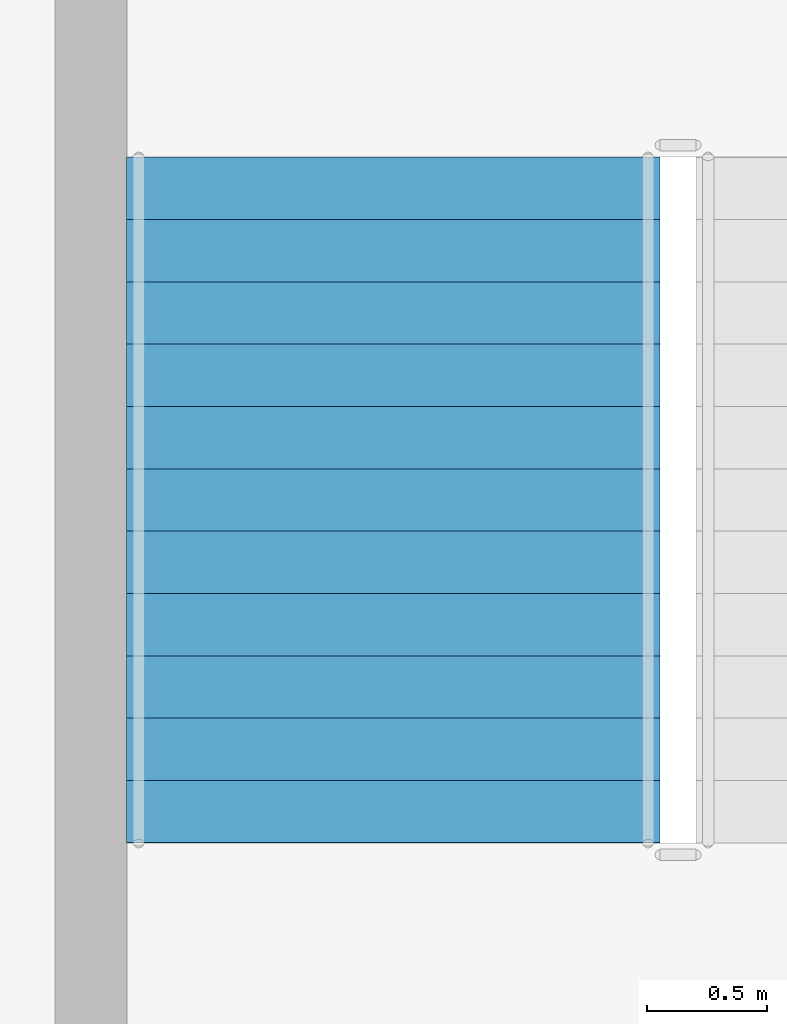
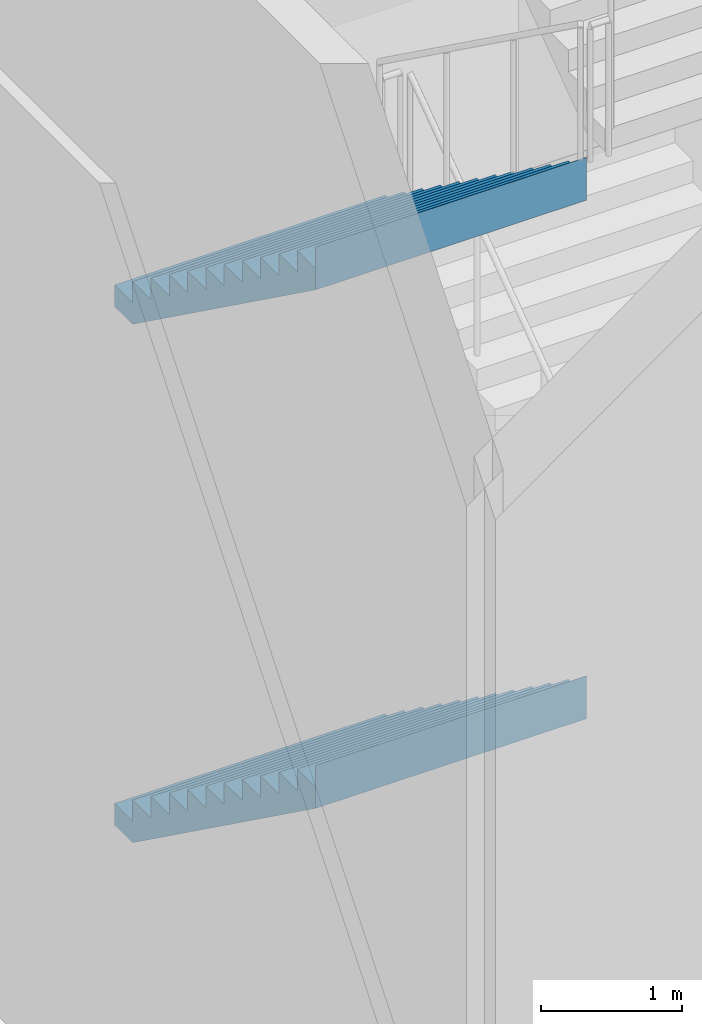
# One storey, part 17 of 35: 2 stair flights, 1 element without a shape of its own.
"""IFC4 building model written with IfcOpenShell, lengths in metres."""

from ifc_helpers import new_model, si_unit, direction, frame, origin, place, context, subcontext, project, spatial, triangles, material, type_object, element, aggregate, save


model = new_model("IFC4")

# Units and contexts
model_context = context("Model", 3, precision=1e-05, world=origin(), true_north=direction((0.0, 1.0)))
body_context = subcontext(model_context, "Body", "Model", "MODEL_VIEW")
ifc_project = project(units=[si_unit("LENGTHUNIT", "METRE"), si_unit("AREAUNIT", "SQUARE_METRE"), si_unit("VOLUMEUNIT", "CUBIC_METRE"), si_unit("PLANEANGLEUNIT", "RADIAN"), si_unit("MASSUNIT", "GRAM", prefix="KILO")], contexts=[model_context])

# Site, building, storey
site_placement = place(None, origin())
site = spatial("IfcSite", under=ifc_project, at=site_placement, CompositionType="ELEMENT")
building_placement = place(site_placement, origin())
building = spatial("IfcBuilding", under=site, at=building_placement, Name="Sahrelin Media Tower", CompositionType="ELEMENT")
storey_placement = place(building_placement, frame((0.0, 0.0, 17.0)))
storey = spatial("IfcBuildingStorey", under=building, at=storey_placement, Name="L02", CompositionType="ELEMENT", Elevation=17.0)

# Stair, stair flights
ifc_material = material(Name="Concrete C40/50", Category="concrete")
stair_type = type_object("IfcStairType", Name="Podium stair 2225", PredefinedType="HALF_TURN_STAIR", material=ifc_material)
stair_placement = place(storey_placement, origin())
stair = element("IfcStair", 1, at=stair_placement, inside=storey, type_object=stair_type, Name="L02 Podium stair PS4", PredefinedType="HALF_TURN_STAIR")
stair_flight_type = type_object("IfcStairFlightType", Name="Stair flight 2225", PredefinedType="STRAIGHT", material=ifc_material)
stair_flight_1_placement = place(storey_placement, frame((9.46240234375, -30.625, 0.0), z_axis=(0.0, 0.0, 1.0), x_axis=(0.0, -1.0, 0.0)))
stair_flight_1 = element("IfcStairFlight", 2, at=stair_flight_1_placement, type_object=stair_flight_type, Name="PS4 flight 1", NumberOfRisers=12, NumberOfTreads=11, PredefinedType="STRAIGHT", RiserHeight=0.1875, TreadLength=0.26, context=body_context, shape_type="Tessellation", body=[
    triangles([(0.25634765625, 1.112548828125, 0.0), (0.25634765625, 0.794677734375, 0.0), (0.25634765625, 0.476806640625, 0.0), (0.25634765625, 0.158935546875, 0.0), (0.25634765625, -0.158935546875, 0.0), (0.25634765625, -0.476806640625, 0.0), (0.25634765625, -0.794677734375, 0.0), (0.25634765625, -1.112548828125, 0.0), (2.860107421875, 1.112548828125, 1.877685546875), (2.860107421875, 0.794677734375, 1.877685546875), (2.860107421875, 0.476806640625, 1.877685546875), (2.860107421875, 0.158935546875, 1.877685546875), (2.860107421875, -0.158935546875, 1.877685546875), (2.860107421875, -0.476806640625, 1.877685546875), (2.860107421875, -0.794677734375, 1.877685546875), (2.860107421875, -1.112548828125, 1.877685546875), (2.860107421875, 1.112548828125, 2.25), (2.860107421875, 0.794677734375, 2.25), (2.860107421875, 0.476806640625, 2.25), (2.860107421875, 0.158935546875, 2.25), (2.860107421875, -0.158935546875, 2.25), (2.860107421875, -0.476806640625, 2.25), (2.860107421875, -0.794677734375, 2.25), (2.860107421875, -1.112548828125, 2.25), (2.85791015625, 1.112548828125, 2.25), (2.85791015625, 0.794677734375, 2.25), (2.85791015625, 0.476806640625, 2.25), (2.85791015625, 0.158935546875, 2.25), (2.85791015625, -0.158935546875, 2.25), (2.85791015625, -0.476806640625, 2.25), (2.85791015625, -0.794677734375, 2.25), (2.85791015625, -1.112548828125, 2.25), (2.85791015625, 1.112548828125, 2.0625), (2.85791015625, 0.794677734375, 2.0625), (2.85791015625, 0.476806640625, 2.0625), (2.85791015625, 0.158935546875, 2.0625), (2.85791015625, -0.158935546875, 2.0625), (2.85791015625, -0.476806640625, 2.0625), (2.85791015625, -0.794677734375, 2.0625), (2.85791015625, -1.112548828125, 2.0625), (2.60009765625, 1.112548828125, 2.0625), (2.60009765625, 0.794677734375, 2.0625), (2.60009765625, 0.476806640625, 2.0625), (2.60009765625, 0.158935546875, 2.0625), (2.60009765625, -0.158935546875, 2.0625), (2.60009765625, -0.476806640625, 2.0625), (2.60009765625, -0.794677734375, 2.0625), (2.60009765625, -1.112548828125, 2.0625), (2.60009765625, 1.112548828125, 1.875), (2.60009765625, 0.794677734375, 1.875), (2.60009765625, 0.476806640625, 1.875), (2.60009765625, 0.158935546875, 1.875), (2.60009765625, -0.158935546875, 1.875), (2.60009765625, -0.476806640625, 1.875), (2.60009765625, -0.794677734375, 1.875), (2.60009765625, -1.112548828125, 1.875), (2.340087890625, 1.112548828125, 1.875), (2.340087890625, 0.794677734375, 1.875), (2.340087890625, 0.476806640625, 1.875), (2.340087890625, 0.158935546875, 1.875), (2.340087890625, -0.158935546875, 1.875), (2.340087890625, -0.476806640625, 1.875), (2.340087890625, -0.794677734375, 1.875), (2.340087890625, -1.112548828125, 1.875), (2.340087890625, 1.112548828125, 1.6875), (2.340087890625, 0.794677734375, 1.6875), (2.340087890625, 0.476806640625, 1.6875), (2.340087890625, 0.158935546875, 1.6875), (2.340087890625, -0.158935546875, 1.6875), (2.340087890625, -0.476806640625, 1.6875), (2.340087890625, -0.794677734375, 1.6875), (2.340087890625, -1.112548828125, 1.6875), (2.080078125, 1.112548828125, 1.6875), (2.080078125, 0.794677734375, 1.6875), (2.080078125, 0.476806640625, 1.6875), (2.080078125, 0.158935546875, 1.6875), (2.080078125, -0.158935546875, 1.6875), (2.080078125, -0.476806640625, 1.6875), (2.080078125, -0.794677734375, 1.6875), (2.080078125, -1.112548828125, 1.6875), (2.080078125, 1.112548828125, 1.5), (2.080078125, 0.794677734375, 1.5), (2.080078125, 0.476806640625, 1.5), (2.080078125, 0.158935546875, 1.5), (2.080078125, -0.158935546875, 1.5), (2.080078125, -0.476806640625, 1.5), (2.080078125, -0.794677734375, 1.5), (2.080078125, -1.112548828125, 1.5), (1.820068359375, 1.112548828125, 1.5), (1.820068359375, 0.794677734375, 1.5), (1.820068359375, 0.476806640625, 1.5), (1.820068359375, 0.158935546875, 1.5), (1.820068359375, -0.158935546875, 1.5), (1.820068359375, -0.476806640625, 1.5), (1.820068359375, -0.794677734375, 1.5), (1.820068359375, -1.112548828125, 1.5), (1.820068359375, 1.112548828125, 1.3125), (1.820068359375, 0.794677734375, 1.3125), (1.820068359375, 0.476806640625, 1.3125), (1.820068359375, 0.158935546875, 1.3125), (1.820068359375, -0.158935546875, 1.3125), (1.820068359375, -0.476806640625, 1.3125), (1.820068359375, -0.794677734375, 1.3125), (1.820068359375, -1.112548828125, 1.3125), (1.56005859375, 1.112548828125, 1.3125), (1.56005859375, 0.794677734375, 1.3125), (1.56005859375, 0.476806640625, 1.3125), (1.56005859375, 0.158935546875, 1.3125), (1.56005859375, -0.158935546875, 1.3125), (1.56005859375, -0.476806640625, 1.3125), (1.56005859375, -0.794677734375, 1.3125), (1.56005859375, -1.112548828125, 1.3125), (1.56005859375, 1.112548828125, 1.125), (1.56005859375, 0.794677734375, 1.125), (1.56005859375, 0.476806640625, 1.125), (1.56005859375, 0.158935546875, 1.125), (1.56005859375, -0.158935546875, 1.125), (1.56005859375, -0.476806640625, 1.125), (1.56005859375, -0.794677734375, 1.125), (1.56005859375, -1.112548828125, 1.125), (1.300048828125, 1.112548828125, 1.125), (1.300048828125, 0.794677734375, 1.125), (1.300048828125, 0.476806640625, 1.125), (1.300048828125, 0.158935546875, 1.125), (1.300048828125, -0.158935546875, 1.125), (1.300048828125, -0.476806640625, 1.125), (1.300048828125, -0.794677734375, 1.125), (1.300048828125, -1.112548828125, 1.125), (1.300048828125, 1.112548828125, 0.9375), (1.300048828125, 0.794677734375, 0.9375), (1.300048828125, 0.476806640625, 0.9375), (1.300048828125, 0.158935546875, 0.9375), (1.300048828125, -0.158935546875, 0.9375), (1.300048828125, -0.476806640625, 0.9375), (1.300048828125, -0.794677734375, 0.9375), (1.300048828125, -1.112548828125, 0.9375), (1.0400390625, 1.112548828125, 0.9375), (1.0400390625, 0.794677734375, 0.9375), (1.0400390625, 0.476806640625, 0.9375), (1.0400390625, 0.158935546875, 0.9375), (1.0400390625, -0.158935546875, 0.9375), (1.0400390625, -0.476806640625, 0.9375), (1.0400390625, -0.794677734375, 0.9375), (1.0400390625, -1.112548828125, 0.9375), (1.0400390625, 1.112548828125, 0.75), (1.0400390625, 0.794677734375, 0.75), (1.0400390625, 0.476806640625, 0.75), (1.0400390625, 0.158935546875, 0.75), (1.0400390625, -0.158935546875, 0.75), (1.0400390625, -0.476806640625, 0.75), (1.0400390625, -0.794677734375, 0.75), (1.0400390625, -1.112548828125, 0.75), (0.780029296875, 1.112548828125, 0.75), (0.780029296875, 0.794677734375, 0.75), (0.780029296875, 0.476806640625, 0.75), (0.780029296875, 0.158935546875, 0.75), (0.780029296875, -0.158935546875, 0.75), (0.780029296875, -0.476806640625, 0.75), (0.780029296875, -0.794677734375, 0.75), (0.780029296875, -1.112548828125, 0.75), (0.780029296875, 1.112548828125, 0.5625), (0.780029296875, 0.794677734375, 0.5625), (0.780029296875, 0.476806640625, 0.5625), (0.780029296875, 0.158935546875, 0.5625), (0.780029296875, -0.158935546875, 0.5625), (0.780029296875, -0.476806640625, 0.5625), (0.780029296875, -0.794677734375, 0.5625), (0.780029296875, -1.112548828125, 0.5625), (0.52001953125, 1.112548828125, 0.5625), (0.52001953125, 0.794677734375, 0.5625), (0.52001953125, 0.476806640625, 0.5625), (0.52001953125, 0.158935546875, 0.5625), (0.52001953125, -0.158935546875, 0.5625), (0.52001953125, -0.476806640625, 0.5625), (0.52001953125, -0.794677734375, 0.5625), (0.52001953125, -1.112548828125, 0.5625), (0.52001953125, 1.112548828125, 0.375), (0.52001953125, 0.794677734375, 0.375), (0.52001953125, 0.476806640625, 0.375), (0.52001953125, 0.158935546875, 0.375), (0.52001953125, -0.158935546875, 0.375), (0.52001953125, -0.476806640625, 0.375), (0.52001953125, -0.794677734375, 0.375), (0.52001953125, -1.112548828125, 0.375), (0.260009765625, 1.112548828125, 0.375), (0.260009765625, 0.794677734375, 0.375), (0.260009765625, 0.476806640625, 0.375), (0.260009765625, 0.158935546875, 0.375), (0.260009765625, -0.158935546875, 0.375), (0.260009765625, -0.476806640625, 0.375), (0.260009765625, -0.794677734375, 0.375), (0.260009765625, -1.112548828125, 0.375), (0.260009765625, 1.112548828125, 0.1875), (0.260009765625, 0.794677734375, 0.1875), (0.260009765625, 0.476806640625, 0.1875), (0.260009765625, 0.158935546875, 0.1875), (0.260009765625, -0.158935546875, 0.1875), (0.260009765625, -0.476806640625, 0.1875), (0.260009765625, -0.794677734375, 0.1875), (0.260009765625, -1.112548828125, 0.1875), (0.0, 1.112548828125, 0.1875), (0.0, 0.794677734375, 0.1875), (0.0, 0.476806640625, 0.1875), (0.0, 0.158935546875, 0.1875), (0.0, -0.158935546875, 0.1875), (0.0, -0.476806640625, 0.1875), (0.0, -0.794677734375, 0.1875), (0.0, -1.112548828125, 0.1875), (0.0, 1.112548828125, 0.0), (0.0, 0.794677734375, 0.0), (0.0, 0.476806640625, 0.0), (0.0, 0.158935546875, 0.0), (0.0, -0.158935546875, 0.0), (0.0, -0.476806640625, 0.0), (0.0, -0.794677734375, 0.0), (0.0, -1.112548828125, 0.0)], [[1, 9, 10], [1, 10, 2], [2, 10, 11], [2, 11, 3], [3, 11, 12], [3, 12, 4], [4, 12, 13], [4, 13, 5], [5, 13, 14], [5, 14, 6], [6, 14, 15], [6, 15, 7], [7, 15, 16], [7, 16, 8], [9, 17, 18], [9, 18, 10], [10, 18, 19], [10, 19, 11], [11, 19, 20], [11, 20, 12], [12, 20, 21], [12, 21, 13], [13, 21, 22], [13, 22, 14], [14, 22, 23], [14, 23, 15], [15, 23, 24], [15, 24, 16], [17, 25, 26], [17, 26, 18], [18, 26, 27], [18, 27, 19], [19, 27, 28], [19, 28, 20], [20, 28, 29], [20, 29, 21], [21, 29, 30], [21, 30, 22], [22, 30, 31], [22, 31, 23], [23, 31, 32], [23, 32, 24], [25, 33, 34], [25, 34, 26], [26, 34, 35], [26, 35, 27], [27, 35, 36], [27, 36, 28], [28, 36, 37], [28, 37, 29], [29, 37, 38], [29, 38, 30], [30, 38, 39], [30, 39, 31], [31, 39, 40], [31, 40, 32], [33, 41, 42], [33, 42, 34], [34, 42, 43], [34, 43, 35], [35, 43, 44], [35, 44, 36], [36, 44, 45], [36, 45, 37], [37, 45, 46], [37, 46, 38], [38, 46, 47], [38, 47, 39], [39, 47, 48], [39, 48, 40], [41, 49, 50], [41, 50, 42], [42, 50, 51], [42, 51, 43], [43, 51, 52], [43, 52, 44], [44, 52, 53], [44, 53, 45], [45, 53, 54], [45, 54, 46], [46, 54, 55], [46, 55, 47], [47, 55, 56], [47, 56, 48], [49, 57, 58], [49, 58, 50], [50, 58, 59], [50, 59, 51], [51, 59, 60], [51, 60, 52], [52, 60, 61], [52, 61, 53], [53, 61, 62], [53, 62, 54], [54, 62, 63], [54, 63, 55], [55, 63, 64], [55, 64, 56], [57, 65, 66], [57, 66, 58], [58, 66, 67], [58, 67, 59], [59, 67, 68], [59, 68, 60], [60, 68, 69], [60, 69, 61], [61, 69, 70], [61, 70, 62], [62, 70, 71], [62, 71, 63], [63, 71, 72], [63, 72, 64], [65, 73, 74], [65, 74, 66], [66, 74, 75], [66, 75, 67], [67, 75, 76], [67, 76, 68], [68, 76, 77], [68, 77, 69], [69, 77, 78], [69, 78, 70], [70, 78, 79], [70, 79, 71], [71, 79, 80], [71, 80, 72], [73, 81, 82], [73, 82, 74], [74, 82, 83], [74, 83, 75], [75, 83, 84], [75, 84, 76], [76, 84, 85], [76, 85, 77], [77, 85, 86], [77, 86, 78], [78, 86, 87], [78, 87, 79], [79, 87, 88], [79, 88, 80], [81, 89, 90], [81, 90, 82], [82, 90, 91], [82, 91, 83], [83, 91, 92], [83, 92, 84], [84, 92, 93], [84, 93, 85], [85, 93, 94], [85, 94, 86], [86, 94, 95], [86, 95, 87], [87, 95, 96], [87, 96, 88], [89, 97, 98], [89, 98, 90], [90, 98, 99], [90, 99, 91], [91, 99, 100], [91, 100, 92], [92, 100, 101], [92, 101, 93], [93, 101, 102], [93, 102, 94], [94, 102, 103], [94, 103, 95], [95, 103, 104], [95, 104, 96], [97, 105, 106], [97, 106, 98], [98, 106, 107], [98, 107, 99], [99, 107, 108], [99, 108, 100], [100, 108, 109], [100, 109, 101], [101, 109, 110], [101, 110, 102], [102, 110, 111], [102, 111, 103], [103, 111, 112], [103, 112, 104], [105, 113, 114], [105, 114, 106], [106, 114, 115], [106, 115, 107], [107, 115, 116], [107, 116, 108], [108, 116, 117], [108, 117, 109], [109, 117, 118], [109, 118, 110], [110, 118, 119], [110, 119, 111], [111, 119, 120], [111, 120, 112], [113, 121, 122], [113, 122, 114], [114, 122, 123], [114, 123, 115], [115, 123, 124], [115, 124, 116], [116, 124, 125], [116, 125, 117], [117, 125, 126], [117, 126, 118], [118, 126, 127], [118, 127, 119], [119, 127, 128], [119, 128, 120], [121, 129, 130], [121, 130, 122], [122, 130, 131], [122, 131, 123], [123, 131, 132], [123, 132, 124], [124, 132, 133], [124, 133, 125], [125, 133, 134], [125, 134, 126], [126, 134, 135], [126, 135, 127], [127, 135, 136], [127, 136, 128], [129, 137, 138], [129, 138, 130], [130, 138, 139], [130, 139, 131], [131, 139, 140], [131, 140, 132], [132, 140, 141], [132, 141, 133], [133, 141, 142], [133, 142, 134], [134, 142, 143], [134, 143, 135], [135, 143, 144], [135, 144, 136], [137, 145, 146], [137, 146, 138], [138, 146, 147], [138, 147, 139], [139, 147, 148], [139, 148, 140], [140, 148, 149], [140, 149, 141], [141, 149, 150], [141, 150, 142], [142, 150, 151], [142, 151, 143], [143, 151, 152], [143, 152, 144], [145, 153, 154], [145, 154, 146], [146, 154, 155], [146, 155, 147], [147, 155, 156], [147, 156, 148], [148, 156, 157], [148, 157, 149], [149, 157, 158], [149, 158, 150], [150, 158, 159], [150, 159, 151], [151, 159, 160], [151, 160, 152], [153, 161, 162], [153, 162, 154], [154, 162, 163], [154, 163, 155], [155, 163, 164], [155, 164, 156], [156, 164, 165], [156, 165, 157], [157, 165, 166], [157, 166, 158], [158, 166, 167], [158, 167, 159], [159, 167, 168], [159, 168, 160], [161, 169, 170], [161, 170, 162], [162, 170, 171], [162, 171, 163], [163, 171, 172], [163, 172, 164], [164, 172, 173], [164, 173, 165], [165, 173, 174], [165, 174, 166], [166, 174, 175], [166, 175, 167], [167, 175, 176], [167, 176, 168], [169, 177, 178], [169, 178, 170], [170, 178, 179], [170, 179, 171], [171, 179, 180], [171, 180, 172], [172, 180, 181], [172, 181, 173], [173, 181, 182], [173, 182, 174], [174, 182, 183], [174, 183, 175], [175, 183, 184], [175, 184, 176], [177, 185, 186], [177, 186, 178], [178, 186, 187], [178, 187, 179], [179, 187, 188], [179, 188, 180], [180, 188, 189], [180, 189, 181], [181, 189, 190], [181, 190, 182], [182, 190, 191], [182, 191, 183], [183, 191, 192], [183, 192, 184], [185, 193, 194], [185, 194, 186], [186, 194, 195], [186, 195, 187], [187, 195, 196], [187, 196, 188], [188, 196, 197], [188, 197, 189], [189, 197, 198], [189, 198, 190], [190, 198, 199], [190, 199, 191], [191, 199, 200], [191, 200, 192], [193, 201, 202], [193, 202, 194], [194, 202, 203], [194, 203, 195], [195, 203, 204], [195, 204, 196], [196, 204, 205], [196, 205, 197], [197, 205, 206], [197, 206, 198], [198, 206, 207], [198, 207, 199], [199, 207, 208], [199, 208, 200], [201, 209, 210], [201, 210, 202], [202, 210, 211], [202, 211, 203], [203, 211, 212], [203, 212, 204], [204, 212, 213], [204, 213, 205], [205, 213, 214], [205, 214, 206], [206, 214, 215], [206, 215, 207], [207, 215, 216], [207, 216, 208], [209, 1, 2], [209, 2, 210], [210, 2, 3], [210, 3, 211], [211, 3, 4], [211, 4, 212], [212, 4, 5], [212, 5, 213], [213, 5, 6], [213, 6, 214], [214, 6, 7], [214, 7, 215], [215, 7, 8], [215, 8, 216], [8, 208, 216], [1, 209, 201], [200, 184, 192], [193, 185, 177], [184, 168, 176], [177, 169, 161], [168, 152, 160], [161, 153, 145], [152, 136, 144], [145, 137, 129], [136, 120, 128], [129, 121, 113], [120, 104, 112], [113, 105, 97], [104, 88, 96], [97, 89, 81], [88, 72, 80], [81, 73, 65], [72, 56, 64], [65, 57, 49], [56, 40, 48], [49, 41, 33], [40, 24, 32], [33, 25, 17], [8, 200, 208], [1, 201, 193], [16, 56, 72], [9, 65, 49], [40, 16, 24], [33, 17, 9], [184, 200, 8], [177, 1, 193], [56, 16, 40], [49, 33, 9], [168, 184, 8], [161, 1, 177], [72, 88, 16], [65, 9, 81], [152, 168, 8], [145, 1, 161], [104, 16, 88], [97, 81, 9], [136, 152, 8], [129, 1, 145], [120, 16, 104], [113, 97, 9], [120, 136, 8], [113, 1, 129], [8, 16, 120], [1, 113, 9]], closed=True),
])
stair_flight_2_placement = place(storey_placement, frame((9.46240234375, -30.625, 4.5), z_axis=(0.0, 0.0, 1.0), x_axis=(0.0, -1.0, 0.0)))
stair_flight_2 = element("IfcStairFlight", 3, at=stair_flight_2_placement, type_object=stair_flight_type, Name="PS4 flight 3", NumberOfRisers=12, NumberOfTreads=11, PredefinedType="STRAIGHT", RiserHeight=0.1875, TreadLength=0.26, context=body_context, shape_type="Tessellation", body=[
    triangles([(0.25634765625, 1.112548828125, 0.0), (0.25634765625, 0.794677734375, 0.0), (0.25634765625, 0.476806640625, 0.0), (0.25634765625, 0.158935546875, 0.0), (0.25634765625, -0.158935546875, 0.0), (0.25634765625, -0.476806640625, 0.0), (0.25634765625, -0.794677734375, 0.0), (0.25634765625, -1.112548828125, 0.0), (2.860107421875, 1.112548828125, 1.877685546875), (2.860107421875, 0.794677734375, 1.877685546875), (2.860107421875, 0.476806640625, 1.877685546875), (2.860107421875, 0.158935546875, 1.877685546875), (2.860107421875, -0.158935546875, 1.877685546875), (2.860107421875, -0.476806640625, 1.877685546875), (2.860107421875, -0.794677734375, 1.877685546875), (2.860107421875, -1.112548828125, 1.877685546875), (2.860107421875, 1.112548828125, 2.25), (2.860107421875, 0.794677734375, 2.25), (2.860107421875, 0.476806640625, 2.25), (2.860107421875, 0.158935546875, 2.25), (2.860107421875, -0.158935546875, 2.25), (2.860107421875, -0.476806640625, 2.25), (2.860107421875, -0.794677734375, 2.25), (2.860107421875, -1.112548828125, 2.25), (2.85791015625, 1.112548828125, 2.25), (2.85791015625, 0.794677734375, 2.25), (2.85791015625, 0.476806640625, 2.25), (2.85791015625, 0.158935546875, 2.25), (2.85791015625, -0.158935546875, 2.25), (2.85791015625, -0.476806640625, 2.25), (2.85791015625, -0.794677734375, 2.25), (2.85791015625, -1.112548828125, 2.25), (2.85791015625, 1.112548828125, 2.0625), (2.85791015625, 0.794677734375, 2.0625), (2.85791015625, 0.476806640625, 2.0625), (2.85791015625, 0.158935546875, 2.0625), (2.85791015625, -0.158935546875, 2.0625), (2.85791015625, -0.476806640625, 2.0625), (2.85791015625, -0.794677734375, 2.0625), (2.85791015625, -1.112548828125, 2.0625), (2.60009765625, 1.112548828125, 2.0625), (2.60009765625, 0.794677734375, 2.0625), (2.60009765625, 0.476806640625, 2.0625), (2.60009765625, 0.158935546875, 2.0625), (2.60009765625, -0.158935546875, 2.0625), (2.60009765625, -0.476806640625, 2.0625), (2.60009765625, -0.794677734375, 2.0625), (2.60009765625, -1.112548828125, 2.0625), (2.60009765625, 1.112548828125, 1.875), (2.60009765625, 0.794677734375, 1.875), (2.60009765625, 0.476806640625, 1.875), (2.60009765625, 0.158935546875, 1.875), (2.60009765625, -0.158935546875, 1.875), (2.60009765625, -0.476806640625, 1.875), (2.60009765625, -0.794677734375, 1.875), (2.60009765625, -1.112548828125, 1.875), (2.340087890625, 1.112548828125, 1.875), (2.340087890625, 0.794677734375, 1.875), (2.340087890625, 0.476806640625, 1.875), (2.340087890625, 0.158935546875, 1.875), (2.340087890625, -0.158935546875, 1.875), (2.340087890625, -0.476806640625, 1.875), (2.340087890625, -0.794677734375, 1.875), (2.340087890625, -1.112548828125, 1.875), (2.340087890625, 1.112548828125, 1.6875), (2.340087890625, 0.794677734375, 1.6875), (2.340087890625, 0.476806640625, 1.6875), (2.340087890625, 0.158935546875, 1.6875), (2.340087890625, -0.158935546875, 1.6875), (2.340087890625, -0.476806640625, 1.6875), (2.340087890625, -0.794677734375, 1.6875), (2.340087890625, -1.112548828125, 1.6875), (2.080078125, 1.112548828125, 1.6875), (2.080078125, 0.794677734375, 1.6875), (2.080078125, 0.476806640625, 1.6875), (2.080078125, 0.158935546875, 1.6875), (2.080078125, -0.158935546875, 1.6875), (2.080078125, -0.476806640625, 1.6875), (2.080078125, -0.794677734375, 1.6875), (2.080078125, -1.112548828125, 1.6875), (2.080078125, 1.112548828125, 1.5), (2.080078125, 0.794677734375, 1.5), (2.080078125, 0.476806640625, 1.5), (2.080078125, 0.158935546875, 1.5), (2.080078125, -0.158935546875, 1.5), (2.080078125, -0.476806640625, 1.5), (2.080078125, -0.794677734375, 1.5), (2.080078125, -1.112548828125, 1.5), (1.820068359375, 1.112548828125, 1.5), (1.820068359375, 0.794677734375, 1.5), (1.820068359375, 0.476806640625, 1.5), (1.820068359375, 0.158935546875, 1.5), (1.820068359375, -0.158935546875, 1.5), (1.820068359375, -0.476806640625, 1.5), (1.820068359375, -0.794677734375, 1.5), (1.820068359375, -1.112548828125, 1.5), (1.820068359375, 1.112548828125, 1.3125), (1.820068359375, 0.794677734375, 1.3125), (1.820068359375, 0.476806640625, 1.3125), (1.820068359375, 0.158935546875, 1.3125), (1.820068359375, -0.158935546875, 1.3125), (1.820068359375, -0.476806640625, 1.3125), (1.820068359375, -0.794677734375, 1.3125), (1.820068359375, -1.112548828125, 1.3125), (1.56005859375, 1.112548828125, 1.3125), (1.56005859375, 0.794677734375, 1.3125), (1.56005859375, 0.476806640625, 1.3125), (1.56005859375, 0.158935546875, 1.3125), (1.56005859375, -0.158935546875, 1.3125), (1.56005859375, -0.476806640625, 1.3125), (1.56005859375, -0.794677734375, 1.3125), (1.56005859375, -1.112548828125, 1.3125), (1.56005859375, 1.112548828125, 1.125), (1.56005859375, 0.794677734375, 1.125), (1.56005859375, 0.476806640625, 1.125), (1.56005859375, 0.158935546875, 1.125), (1.56005859375, -0.158935546875, 1.125), (1.56005859375, -0.476806640625, 1.125), (1.56005859375, -0.794677734375, 1.125), (1.56005859375, -1.112548828125, 1.125), (1.300048828125, 1.112548828125, 1.125), (1.300048828125, 0.794677734375, 1.125), (1.300048828125, 0.476806640625, 1.125), (1.300048828125, 0.158935546875, 1.125), (1.300048828125, -0.158935546875, 1.125), (1.300048828125, -0.476806640625, 1.125), (1.300048828125, -0.794677734375, 1.125), (1.300048828125, -1.112548828125, 1.125), (1.300048828125, 1.112548828125, 0.9375), (1.300048828125, 0.794677734375, 0.9375), (1.300048828125, 0.476806640625, 0.9375), (1.300048828125, 0.158935546875, 0.9375), (1.300048828125, -0.158935546875, 0.9375), (1.300048828125, -0.476806640625, 0.9375), (1.300048828125, -0.794677734375, 0.9375), (1.300048828125, -1.112548828125, 0.9375), (1.0400390625, 1.112548828125, 0.9375), (1.0400390625, 0.794677734375, 0.9375), (1.0400390625, 0.476806640625, 0.9375), (1.0400390625, 0.158935546875, 0.9375), (1.0400390625, -0.158935546875, 0.9375), (1.0400390625, -0.476806640625, 0.9375), (1.0400390625, -0.794677734375, 0.9375), (1.0400390625, -1.112548828125, 0.9375), (1.0400390625, 1.112548828125, 0.75), (1.0400390625, 0.794677734375, 0.75), (1.0400390625, 0.476806640625, 0.75), (1.0400390625, 0.158935546875, 0.75), (1.0400390625, -0.158935546875, 0.75), (1.0400390625, -0.476806640625, 0.75), (1.0400390625, -0.794677734375, 0.75), (1.0400390625, -1.112548828125, 0.75), (0.780029296875, 1.112548828125, 0.75), (0.780029296875, 0.794677734375, 0.75), (0.780029296875, 0.476806640625, 0.75), (0.780029296875, 0.158935546875, 0.75), (0.780029296875, -0.158935546875, 0.75), (0.780029296875, -0.476806640625, 0.75), (0.780029296875, -0.794677734375, 0.75), (0.780029296875, -1.112548828125, 0.75), (0.780029296875, 1.112548828125, 0.5625), (0.780029296875, 0.794677734375, 0.5625), (0.780029296875, 0.476806640625, 0.5625), (0.780029296875, 0.158935546875, 0.5625), (0.780029296875, -0.158935546875, 0.5625), (0.780029296875, -0.476806640625, 0.5625), (0.780029296875, -0.794677734375, 0.5625), (0.780029296875, -1.112548828125, 0.5625), (0.52001953125, 1.112548828125, 0.5625), (0.52001953125, 0.794677734375, 0.5625), (0.52001953125, 0.476806640625, 0.5625), (0.52001953125, 0.158935546875, 0.5625), (0.52001953125, -0.158935546875, 0.5625), (0.52001953125, -0.476806640625, 0.5625), (0.52001953125, -0.794677734375, 0.5625), (0.52001953125, -1.112548828125, 0.5625), (0.52001953125, 1.112548828125, 0.375), (0.52001953125, 0.794677734375, 0.375), (0.52001953125, 0.476806640625, 0.375), (0.52001953125, 0.158935546875, 0.375), (0.52001953125, -0.158935546875, 0.375), (0.52001953125, -0.476806640625, 0.375), (0.52001953125, -0.794677734375, 0.375), (0.52001953125, -1.112548828125, 0.375), (0.260009765625, 1.112548828125, 0.375), (0.260009765625, 0.794677734375, 0.375), (0.260009765625, 0.476806640625, 0.375), (0.260009765625, 0.158935546875, 0.375), (0.260009765625, -0.158935546875, 0.375), (0.260009765625, -0.476806640625, 0.375), (0.260009765625, -0.794677734375, 0.375), (0.260009765625, -1.112548828125, 0.375), (0.260009765625, 1.112548828125, 0.1875), (0.260009765625, 0.794677734375, 0.1875), (0.260009765625, 0.476806640625, 0.1875), (0.260009765625, 0.158935546875, 0.1875), (0.260009765625, -0.158935546875, 0.1875), (0.260009765625, -0.476806640625, 0.1875), (0.260009765625, -0.794677734375, 0.1875), (0.260009765625, -1.112548828125, 0.1875), (0.0, 1.112548828125, 0.1875), (0.0, 0.794677734375, 0.1875), (0.0, 0.476806640625, 0.1875), (0.0, 0.158935546875, 0.1875), (0.0, -0.158935546875, 0.1875), (0.0, -0.476806640625, 0.1875), (0.0, -0.794677734375, 0.1875), (0.0, -1.112548828125, 0.1875), (0.0, 1.112548828125, 0.0), (0.0, 0.794677734375, 0.0), (0.0, 0.476806640625, 0.0), (0.0, 0.158935546875, 0.0), (0.0, -0.158935546875, 0.0), (0.0, -0.476806640625, 0.0), (0.0, -0.794677734375, 0.0), (0.0, -1.112548828125, 0.0)], [[1, 9, 10], [1, 10, 2], [2, 10, 11], [2, 11, 3], [3, 11, 12], [3, 12, 4], [4, 12, 13], [4, 13, 5], [5, 13, 14], [5, 14, 6], [6, 14, 15], [6, 15, 7], [7, 15, 16], [7, 16, 8], [9, 17, 18], [9, 18, 10], [10, 18, 19], [10, 19, 11], [11, 19, 20], [11, 20, 12], [12, 20, 21], [12, 21, 13], [13, 21, 22], [13, 22, 14], [14, 22, 23], [14, 23, 15], [15, 23, 24], [15, 24, 16], [17, 25, 26], [17, 26, 18], [18, 26, 27], [18, 27, 19], [19, 27, 28], [19, 28, 20], [20, 28, 29], [20, 29, 21], [21, 29, 30], [21, 30, 22], [22, 30, 31], [22, 31, 23], [23, 31, 32], [23, 32, 24], [25, 33, 34], [25, 34, 26], [26, 34, 35], [26, 35, 27], [27, 35, 36], [27, 36, 28], [28, 36, 37], [28, 37, 29], [29, 37, 38], [29, 38, 30], [30, 38, 39], [30, 39, 31], [31, 39, 40], [31, 40, 32], [33, 41, 42], [33, 42, 34], [34, 42, 43], [34, 43, 35], [35, 43, 44], [35, 44, 36], [36, 44, 45], [36, 45, 37], [37, 45, 46], [37, 46, 38], [38, 46, 47], [38, 47, 39], [39, 47, 48], [39, 48, 40], [41, 49, 50], [41, 50, 42], [42, 50, 51], [42, 51, 43], [43, 51, 52], [43, 52, 44], [44, 52, 53], [44, 53, 45], [45, 53, 54], [45, 54, 46], [46, 54, 55], [46, 55, 47], [47, 55, 56], [47, 56, 48], [49, 57, 58], [49, 58, 50], [50, 58, 59], [50, 59, 51], [51, 59, 60], [51, 60, 52], [52, 60, 61], [52, 61, 53], [53, 61, 62], [53, 62, 54], [54, 62, 63], [54, 63, 55], [55, 63, 64], [55, 64, 56], [57, 65, 66], [57, 66, 58], [58, 66, 67], [58, 67, 59], [59, 67, 68], [59, 68, 60], [60, 68, 69], [60, 69, 61], [61, 69, 70], [61, 70, 62], [62, 70, 71], [62, 71, 63], [63, 71, 72], [63, 72, 64], [65, 73, 74], [65, 74, 66], [66, 74, 75], [66, 75, 67], [67, 75, 76], [67, 76, 68], [68, 76, 77], [68, 77, 69], [69, 77, 78], [69, 78, 70], [70, 78, 79], [70, 79, 71], [71, 79, 80], [71, 80, 72], [73, 81, 82], [73, 82, 74], [74, 82, 83], [74, 83, 75], [75, 83, 84], [75, 84, 76], [76, 84, 85], [76, 85, 77], [77, 85, 86], [77, 86, 78], [78, 86, 87], [78, 87, 79], [79, 87, 88], [79, 88, 80], [81, 89, 90], [81, 90, 82], [82, 90, 91], [82, 91, 83], [83, 91, 92], [83, 92, 84], [84, 92, 93], [84, 93, 85], [85, 93, 94], [85, 94, 86], [86, 94, 95], [86, 95, 87], [87, 95, 96], [87, 96, 88], [89, 97, 98], [89, 98, 90], [90, 98, 99], [90, 99, 91], [91, 99, 100], [91, 100, 92], [92, 100, 101], [92, 101, 93], [93, 101, 102], [93, 102, 94], [94, 102, 103], [94, 103, 95], [95, 103, 104], [95, 104, 96], [97, 105, 106], [97, 106, 98], [98, 106, 107], [98, 107, 99], [99, 107, 108], [99, 108, 100], [100, 108, 109], [100, 109, 101], [101, 109, 110], [101, 110, 102], [102, 110, 111], [102, 111, 103], [103, 111, 112], [103, 112, 104], [105, 113, 114], [105, 114, 106], [106, 114, 115], [106, 115, 107], [107, 115, 116], [107, 116, 108], [108, 116, 117], [108, 117, 109], [109, 117, 118], [109, 118, 110], [110, 118, 119], [110, 119, 111], [111, 119, 120], [111, 120, 112], [113, 121, 122], [113, 122, 114], [114, 122, 123], [114, 123, 115], [115, 123, 124], [115, 124, 116], [116, 124, 125], [116, 125, 117], [117, 125, 126], [117, 126, 118], [118, 126, 127], [118, 127, 119], [119, 127, 128], [119, 128, 120], [121, 129, 130], [121, 130, 122], [122, 130, 131], [122, 131, 123], [123, 131, 132], [123, 132, 124], [124, 132, 133], [124, 133, 125], [125, 133, 134], [125, 134, 126], [126, 134, 135], [126, 135, 127], [127, 135, 136], [127, 136, 128], [129, 137, 138], [129, 138, 130], [130, 138, 139], [130, 139, 131], [131, 139, 140], [131, 140, 132], [132, 140, 141], [132, 141, 133], [133, 141, 142], [133, 142, 134], [134, 142, 143], [134, 143, 135], [135, 143, 144], [135, 144, 136], [137, 145, 146], [137, 146, 138], [138, 146, 147], [138, 147, 139], [139, 147, 148], [139, 148, 140], [140, 148, 149], [140, 149, 141], [141, 149, 150], [141, 150, 142], [142, 150, 151], [142, 151, 143], [143, 151, 152], [143, 152, 144], [145, 153, 154], [145, 154, 146], [146, 154, 155], [146, 155, 147], [147, 155, 156], [147, 156, 148], [148, 156, 157], [148, 157, 149], [149, 157, 158], [149, 158, 150], [150, 158, 159], [150, 159, 151], [151, 159, 160], [151, 160, 152], [153, 161, 162], [153, 162, 154], [154, 162, 163], [154, 163, 155], [155, 163, 164], [155, 164, 156], [156, 164, 165], [156, 165, 157], [157, 165, 166], [157, 166, 158], [158, 166, 167], [158, 167, 159], [159, 167, 168], [159, 168, 160], [161, 169, 170], [161, 170, 162], [162, 170, 171], [162, 171, 163], [163, 171, 172], [163, 172, 164], [164, 172, 173], [164, 173, 165], [165, 173, 174], [165, 174, 166], [166, 174, 175], [166, 175, 167], [167, 175, 176], [167, 176, 168], [169, 177, 178], [169, 178, 170], [170, 178, 179], [170, 179, 171], [171, 179, 180], [171, 180, 172], [172, 180, 181], [172, 181, 173], [173, 181, 182], [173, 182, 174], [174, 182, 183], [174, 183, 175], [175, 183, 184], [175, 184, 176], [177, 185, 186], [177, 186, 178], [178, 186, 187], [178, 187, 179], [179, 187, 188], [179, 188, 180], [180, 188, 189], [180, 189, 181], [181, 189, 190], [181, 190, 182], [182, 190, 191], [182, 191, 183], [183, 191, 192], [183, 192, 184], [185, 193, 194], [185, 194, 186], [186, 194, 195], [186, 195, 187], [187, 195, 196], [187, 196, 188], [188, 196, 197], [188, 197, 189], [189, 197, 198], [189, 198, 190], [190, 198, 199], [190, 199, 191], [191, 199, 200], [191, 200, 192], [193, 201, 202], [193, 202, 194], [194, 202, 203], [194, 203, 195], [195, 203, 204], [195, 204, 196], [196, 204, 205], [196, 205, 197], [197, 205, 206], [197, 206, 198], [198, 206, 207], [198, 207, 199], [199, 207, 208], [199, 208, 200], [201, 209, 210], [201, 210, 202], [202, 210, 211], [202, 211, 203], [203, 211, 212], [203, 212, 204], [204, 212, 213], [204, 213, 205], [205, 213, 214], [205, 214, 206], [206, 214, 215], [206, 215, 207], [207, 215, 216], [207, 216, 208], [209, 1, 2], [209, 2, 210], [210, 2, 3], [210, 3, 211], [211, 3, 4], [211, 4, 212], [212, 4, 5], [212, 5, 213], [213, 5, 6], [213, 6, 214], [214, 6, 7], [214, 7, 215], [215, 7, 8], [215, 8, 216], [8, 208, 216], [1, 209, 201], [200, 184, 192], [193, 185, 177], [184, 168, 176], [177, 169, 161], [168, 152, 160], [161, 153, 145], [152, 136, 144], [145, 137, 129], [136, 120, 128], [129, 121, 113], [120, 104, 112], [113, 105, 97], [104, 88, 96], [97, 89, 81], [88, 72, 80], [81, 73, 65], [72, 56, 64], [65, 57, 49], [56, 40, 48], [49, 41, 33], [40, 24, 32], [33, 25, 17], [8, 200, 208], [1, 201, 193], [16, 56, 72], [9, 65, 49], [40, 16, 24], [33, 17, 9], [184, 200, 8], [177, 1, 193], [56, 16, 40], [49, 33, 9], [168, 184, 8], [161, 1, 177], [72, 88, 16], [65, 9, 81], [152, 168, 8], [145, 1, 161], [104, 16, 88], [97, 81, 9], [136, 152, 8], [129, 1, 145], [120, 16, 104], [113, 97, 9], [120, 136, 8], [113, 1, 129], [8, 16, 120], [1, 113, 9]], closed=True),
])
aggregate(stair, [stair_flight_1, stair_flight_2])

save(model, "model.ifc")
